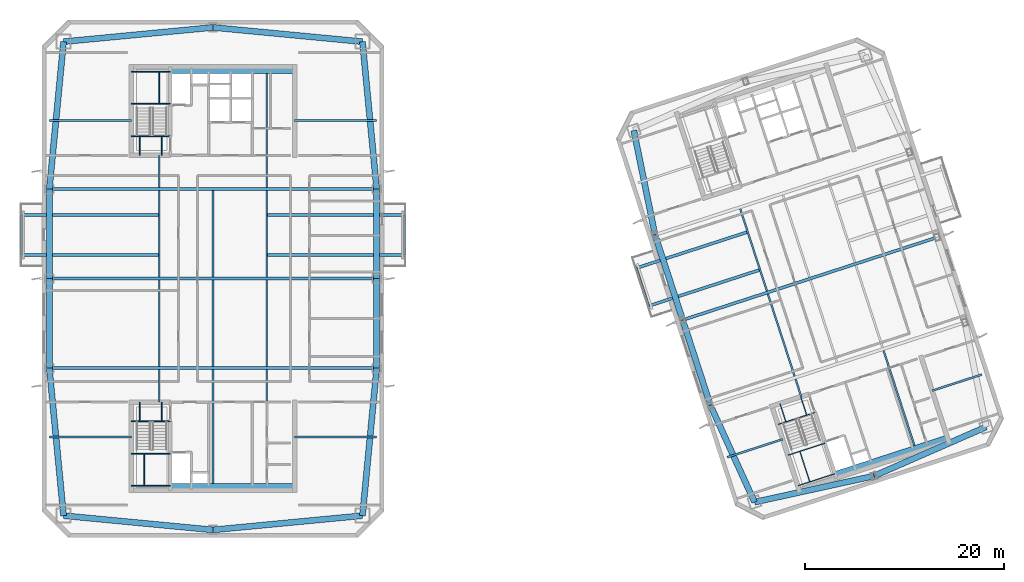
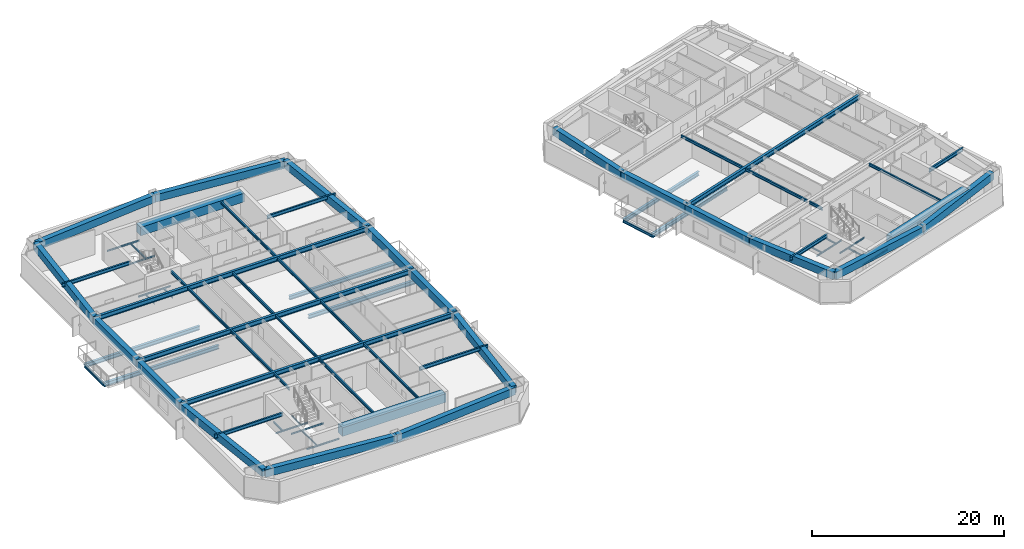
# One storey, part 3 of 17: 73 beams.
"""IFC4 building model written with IfcOpenShell, lengths in metres."""

from ifc_helpers import new_model, si_unit, direction, frame, origin, origin_2d, place, context, subcontext, project, spatial, rectangle, i_section, extrude, material, material_profile, profile_set, type_object, element, save


model = new_model("IFC4")

# Units and contexts
model_context = context("Model", 3, precision=1e-05, world=origin(), true_north=direction((0.0, 1.0)))
body_context = subcontext(model_context, "Body", "Model", "MODEL_VIEW")
ifc_project = project(units=[si_unit("LENGTHUNIT", "METRE"), si_unit("AREAUNIT", "SQUARE_METRE"), si_unit("VOLUMEUNIT", "CUBIC_METRE"), si_unit("PLANEANGLEUNIT", "RADIAN"), si_unit("MASSUNIT", "GRAM", prefix="KILO")], contexts=[model_context])

# Site, building, storey
site_placement = place(None, origin())
site = spatial("IfcSite", under=ifc_project, at=site_placement, CompositionType="ELEMENT")
building_placement = place(site_placement, origin())
building = spatial("IfcBuilding", under=site, at=building_placement, Name="Qiaolan Cultural Towers", CompositionType="ELEMENT")
storey_placement = place(building_placement, frame((0.0, 0.0, 205.85009765625)))
storey = spatial("IfcBuildingStorey", under=building, at=storey_placement, Name="L55", CompositionType="ELEMENT", Elevation=205.85009765625)

# Beams
ifc_material_1 = material(Name="Steel Q355B", Category="steel")
ifc_material_profile_1 = material_profile(ifc_material_1, i_section(OverallWidth=0.300048828125, OverallDepth=0.488037109375, WebThickness=0.010986328125, FlangeThickness=0.01806640625, at=origin_2d()), Name="HM488x300x11x18")
ifc_profile_set_1 = profile_set([ifc_material_profile_1], Name="Steel Q355B")
beam_type_1 = type_object("IfcBeamType", Name="BM-HM488x300x11x18", PredefinedType="BEAM", material=ifc_profile_set_1)
for number, where, z_axis, x_axis, name in (
    (1, (24.60009765625, 36.39990234375, -0.524169921875), (-1.0, 0.0, 0.0), (0.0, -1.0, 0.0), "L55 T1 Tree Balcony Back-Spanned Bracket Beam"),
    (2, (24.60009765625, 40.39990234375, -0.524169921875), (-1.0, 0.0, 0.0), (0.0, -1.0, 0.0), "L55 T1 Tree Balcony Back-Spanned Bracket Beam"),
    (3, (35.39990234375, 36.39990234375, -0.524169921875), (1.0, 0.0, 0.0), (0.0, 1.0, 0.0), "L55 T1 Tree Balcony Back-Spanned Bracket Beam"),
    (4, (35.39990234375, 40.39990234375, -0.524169921875), (1.0, 0.0, 0.0), (0.0, 1.0, 0.0), "L55 T1 Tree Balcony Back-Spanned Bracket Beam"),
):
    element("IfcBeam", number, at=place(storey_placement, frame(where, z_axis=z_axis, x_axis=x_axis)), inside=storey, type_object=beam_type_1, Name=name, PredefinedType="BEAM", context=body_context, shape_type="SweptSolid", body=[
        extrude(i_section(OverallWidth=0.300048828125, OverallDepth=0.488037109375, WebThickness=0.010986328125, FlangeThickness=0.01806640625, at=origin_2d()), origin(), (0.0, 0.0, 1.0), 13.85009765625),
    ])
beam_1_placement = place(storey_placement, frame((84.978515625, 34.891845703125, -0.524169921875), z_axis=(-0.951057886204, -0.309012778197, 0.0), x_axis=(0.309012778197, -0.951057886204, 0.0)))
element("IfcBeam", 5, at=beam_1_placement, inside=storey, type_object=beam_type_1, Name="L55 T2 Tree Balcony Back-Spanned Bracket Beam", PredefinedType="BEAM", context=body_context, shape_type="SweptSolid", body=[
    extrude(i_section(OverallWidth=0.300048828125, OverallDepth=0.488037109375, WebThickness=0.010986328125, FlangeThickness=0.01806640625, at=origin_2d()), origin(), (0.0, 0.0, 1.0), 11.749755859375),
])
beam_2_placement = place(storey_placement, frame((83.742431640625, 38.6962890625, -0.524169921875), z_axis=(-0.951051779584, -0.309031572091, 0.0), x_axis=(0.309031572091, -0.951051779584, 0.0)))
element("IfcBeam", 6, at=beam_2_placement, inside=storey, type_object=beam_type_1, Name="L55 T2 Tree Balcony Back-Spanned Bracket Beam", PredefinedType="BEAM", context=body_context, shape_type="SweptSolid", body=[
    extrude(i_section(OverallWidth=0.300048828125, OverallDepth=0.488037109375, WebThickness=0.010986328125, FlangeThickness=0.01806640625, at=origin_2d()), origin(), (0.0, 0.0, 1.0), 11.75),
])
ifc_material_2 = material(Name="Steel Q355B", Category="steel")
ifc_material_profile_2 = material_profile(ifc_material_2, i_section(OverallWidth=0.300048828125, OverallDepth=0.587890625, WebThickness=0.011962890625, FlangeThickness=0.02001953125, at=origin_2d()), Name="HM588x300x12x20")
ifc_profile_set_2 = profile_set([ifc_material_profile_2], Name="Steel Q355B")
beam_type_2 = type_object("IfcBeamType", Name="BM-HM588x300x12x20", PredefinedType="BEAM", material=ifc_profile_set_2)
for number, where, z_axis, x_axis, name in (
    (7, (13.550048828125, 25.0, 2.89599609375), (1.0, 0.0, 0.0), (0.0, 1.0, 0.0), "L55 T1 Primary Transverse Girder V1"),
    (8, (13.550048828125, 34.0, 2.89599609375), (1.0, 0.0, 0.0), (0.0, 1.0, 0.0), "L55 T1 Primary Transverse Girder V2"),
    (9, (13.550048828125, 43.0, 2.89599609375), (1.0, 0.0, 0.0), (0.0, 1.0, 0.0), "L55 T1 Primary Transverse Girder V3"),
):
    element("IfcBeam", number, at=place(storey_placement, frame(where, z_axis=z_axis, x_axis=x_axis)), inside=storey, type_object=beam_type_2, Name=name, PredefinedType="BEAM", context=body_context, shape_type="SweptSolid", body=[
        extrude(i_section(OverallWidth=0.300048828125, OverallDepth=0.587890625, WebThickness=0.011962890625, FlangeThickness=0.02001953125, at=origin_2d()), origin(), (0.0, 0.0, 1.0), 32.89990234375),
    ])
beam_3_placement = place(storey_placement, frame((77.208251953125, 29.84375, 2.89599609375), z_axis=(0.95105740976, 0.309014244561, 0.0), x_axis=(-0.309014244561, 0.95105740976, 0.0)))
element("IfcBeam", 10, at=beam_3_placement, inside=storey, type_object=beam_type_2, Name="L55 T2 Primary Transverse Girder V2", PredefinedType="BEAM", context=body_context, shape_type="SweptSolid", body=[
    extrude(i_section(OverallWidth=0.300048828125, OverallDepth=0.587890625, WebThickness=0.011962890625, FlangeThickness=0.02001953125, at=origin_2d()), origin(), (0.0, 0.0, 1.0), 26.900146484375),
])
ifc_material_3 = material(Name="Steel Q355B", Category="steel")
ifc_material_profile_3 = material_profile(ifc_material_3, i_section(OverallWidth=0.175048828125, OverallDepth=0.35009765625, WebThickness=0.007080078125, FlangeThickness=0.010986328125, at=origin_2d()), Name="HN350x175x7x11")
ifc_profile_set_3 = profile_set([ifc_material_profile_3], Name="Steel Q355B")
beam_type_3 = type_object("IfcBeamType", Name="BM-JST-HN350x175x7x11", PredefinedType="JOIST", material=ifc_profile_set_3)
for number, where, z_axis, x_axis, name in (
    (11, (10.75, 36.39990234375, -0.524169921875), (0.0, 1.0, 0.0), (-1.0, 0.0, 0.0), "L55 T1 Tree Balcony Outer Edge Beam"),
    (12, (49.25, 36.39990234375, -0.524169921875), (0.0, 1.0, 0.0), (-1.0, 0.0, 0.0), "L55 T1 Tree Balcony Outer Edge Beam"),
    (13, (73.8037109375, 31.260986328125, -0.524169921875), (-0.309022586479, 0.951054699292, 0.0), (-0.951054699292, -0.309022586479, 0.0), "L55 T2 Tree Balcony Outer Edge Beam"),
):
    element("IfcBeam", number, at=place(storey_placement, frame(where, z_axis=z_axis, x_axis=x_axis)), inside=storey, type_object=beam_type_3, Name=name, PredefinedType="JOIST", context=body_context, shape_type="SweptSolid", body=[
        extrude(i_section(OverallWidth=0.175048828125, OverallDepth=0.35009765625, WebThickness=0.007080078125, FlangeThickness=0.010986328125, at=origin_2d()), origin(), (0.0, 0.0, 1.0), 4.0),
    ])
beam_4_placement = place(storey_placement, frame((24.60009765625, 21.60009765625, 3.014892578125), z_axis=(0.0, 1.0, 0.0), x_axis=(-1.0, 0.0, 0.0)))
element("IfcBeam", 14, at=beam_4_placement, inside=storey, type_object=beam_type_3, Name="L55 T1 Secondary Floor Joist U1-1", PredefinedType="JOIST", context=body_context, shape_type="SweptSolid", body=[
    extrude(i_section(OverallWidth=0.175048828125, OverallDepth=0.35009765625, WebThickness=0.007080078125, FlangeThickness=0.010986328125, at=origin_2d()), origin(), (0.0, 0.0, 1.0), 3.25),
])
for number, where, z_axis, x_axis, name in (
    (15, (24.60009765625, 25.14990234375, 3.014892578125), (0.0, 1.0, 0.0), (-1.0, 0.0, 0.0), "L55 T1 Secondary Floor Joist U1-2"),
    (16, (24.60009765625, 34.14990234375, 3.014892578125), (0.0, 1.0, 0.0), (-1.0, 0.0, 0.0), "L55 T1 Secondary Floor Joist U1-3"),
):
    element("IfcBeam", number, at=place(storey_placement, frame(where, z_axis=z_axis, x_axis=x_axis)), inside=storey, type_object=beam_type_3, Name=name, PredefinedType="JOIST", context=body_context, shape_type="SweptSolid", body=[
        extrude(i_section(OverallWidth=0.175048828125, OverallDepth=0.35009765625, WebThickness=0.007080078125, FlangeThickness=0.010986328125, at=origin_2d()), origin(), (0.0, 0.0, 1.0), 8.7001953125),
    ])
beam_5_placement = place(storey_placement, frame((24.60009765625, 43.14990234375, 3.014892578125), z_axis=(0.0, 1.0, 0.0), x_axis=(-1.0, 0.0, 0.0)))
element("IfcBeam", 17, at=beam_5_placement, inside=storey, type_object=beam_type_3, Name="L55 T1 Secondary Floor Joist U1-4", PredefinedType="JOIST", context=body_context, shape_type="SweptSolid", body=[
    extrude(i_section(OverallWidth=0.175048828125, OverallDepth=0.35009765625, WebThickness=0.007080078125, FlangeThickness=0.010986328125, at=origin_2d()), origin(), (0.0, 0.0, 1.0), 3.25),
])
beam_6_placement = place(storey_placement, frame((30.0, 13.39990234375, 3.014892578125), z_axis=(0.0, 1.0, 0.0), x_axis=(-1.0, 0.0, 0.0)))
element("IfcBeam", 18, at=beam_6_placement, inside=storey, type_object=beam_type_3, Name="L55 T1 Secondary Floor Joist U2-1", PredefinedType="JOIST", context=body_context, shape_type="SweptSolid", body=[
    extrude(i_section(OverallWidth=0.175048828125, OverallDepth=0.35009765625, WebThickness=0.007080078125, FlangeThickness=0.010986328125, at=origin_2d()), origin(), (0.0, 0.0, 1.0), 11.4501953125),
])
for number, where, z_axis, x_axis, name in (
    (19, (30.0, 25.14990234375, 3.014892578125), (0.0, 1.0, 0.0), (-1.0, 0.0, 0.0), "L55 T1 Secondary Floor Joist U2-2"),
    (20, (30.0, 34.14990234375, 3.014892578125), (0.0, 1.0, 0.0), (-1.0, 0.0, 0.0), "L55 T1 Secondary Floor Joist U2-3"),
):
    element("IfcBeam", number, at=place(storey_placement, frame(where, z_axis=z_axis, x_axis=x_axis)), inside=storey, type_object=beam_type_3, Name=name, PredefinedType="JOIST", context=body_context, shape_type="SweptSolid", body=[
        extrude(i_section(OverallWidth=0.175048828125, OverallDepth=0.35009765625, WebThickness=0.007080078125, FlangeThickness=0.010986328125, at=origin_2d()), origin(), (0.0, 0.0, 1.0), 8.7001953125),
    ])
beam_7_placement = place(storey_placement, frame((35.39990234375, 13.39990234375, 3.014892578125), z_axis=(0.0, 1.0, 0.0), x_axis=(-1.0, 0.0, 0.0)))
element("IfcBeam", 21, at=beam_7_placement, inside=storey, type_object=beam_type_3, Name="L55 T1 Secondary Floor Joist U3-1", PredefinedType="JOIST", context=body_context, shape_type="SweptSolid", body=[
    extrude(i_section(OverallWidth=0.175048828125, OverallDepth=0.35009765625, WebThickness=0.007080078125, FlangeThickness=0.010986328125, at=origin_2d()), origin(), (0.0, 0.0, 1.0), 11.4501953125),
])
for number, where, z_axis, x_axis, name in (
    (22, (35.39990234375, 25.14990234375, 3.014892578125), (0.0, 1.0, 0.0), (-1.0, 0.0, 0.0), "L55 T1 Secondary Floor Joist U3-2"),
    (23, (35.39990234375, 34.14990234375, 3.014892578125), (0.0, 1.0, 0.0), (-1.0, 0.0, 0.0), "L55 T1 Secondary Floor Joist U3-3"),
):
    element("IfcBeam", number, at=place(storey_placement, frame(where, z_axis=z_axis, x_axis=x_axis)), inside=storey, type_object=beam_type_3, Name=name, PredefinedType="JOIST", context=body_context, shape_type="SweptSolid", body=[
        extrude(i_section(OverallWidth=0.175048828125, OverallDepth=0.35009765625, WebThickness=0.007080078125, FlangeThickness=0.010986328125, at=origin_2d()), origin(), (0.0, 0.0, 1.0), 8.7001953125),
    ])
beam_8_placement = place(storey_placement, frame((35.39990234375, 43.14990234375, 3.014892578125), z_axis=(0.0, 1.0, 0.0), x_axis=(-1.0, 0.0, 0.0)))
element("IfcBeam", 24, at=beam_8_placement, inside=storey, type_object=beam_type_3, Name="L55 T1 Secondary Floor Joist U3-4", PredefinedType="JOIST", context=body_context, shape_type="SweptSolid", body=[
    extrude(i_section(OverallWidth=0.175048828125, OverallDepth=0.35009765625, WebThickness=0.007080078125, FlangeThickness=0.010986328125, at=origin_2d()), origin(), (0.0, 0.0, 1.0), 11.4501953125),
])
beam_9_placement = place(storey_placement, frame((89.119384765625, 22.147705078125, 3.014892578125), z_axis=(-0.308933885266, 0.951083516067, 0.0), x_axis=(-0.951083516067, -0.308933885266, 0.0)))
element("IfcBeam", 25, at=beam_9_placement, inside=storey, type_object=beam_type_3, Name="L55 T2 Secondary Floor Joist U1-1", PredefinedType="JOIST", context=body_context, shape_type="SweptSolid", body=[
    extrude(i_section(OverallWidth=0.175048828125, OverallDepth=0.35009765625, WebThickness=0.007080078125, FlangeThickness=0.010986328125, at=origin_2d()), origin(), (0.0, 0.0, 1.0), 1.85009765625),
])
for number, where, z_axis, x_axis, name in (
    (26, (88.455078125, 24.192626953125, 3.014892578125), (-0.309020714809, 0.951055307445, 0.0), (-0.951055307445, -0.309020714809, 0.0), "L55 T2 Secondary Floor Joist U1-2"),
    (27, (85.673828125, 32.752197265625, 3.014892578125), (-0.309020714809, 0.951055307445, 0.0), (-0.951055307445, -0.309020714809, 0.0), "L55 T2 Secondary Floor Joist U1-3"),
):
    element("IfcBeam", number, at=place(storey_placement, frame(where, z_axis=z_axis, x_axis=x_axis)), inside=storey, type_object=beam_type_3, Name=name, PredefinedType="JOIST", context=body_context, shape_type="SweptSolid", body=[
        extrude(i_section(OverallWidth=0.175048828125, OverallDepth=0.35009765625, WebThickness=0.007080078125, FlangeThickness=0.010986328125, at=origin_2d()), origin(), (0.0, 0.0, 1.0), 8.699951171875),
    ])
beam_10_placement = place(storey_placement, frame((100.498291015625, 17.222900390625, 3.014892578125), z_axis=(-0.309025649293, 0.951053704098, 0.0), x_axis=(-0.951053704098, -0.309025649293, 0.0)))
element("IfcBeam", 28, at=beam_10_placement, inside=storey, type_object=beam_type_3, Name="L55 T2 Secondary Floor Joist U3-1", PredefinedType="JOIST", context=body_context, shape_type="SweptSolid", body=[
    extrude(i_section(OverallWidth=0.175048828125, OverallDepth=0.35009765625, WebThickness=0.007080078125, FlangeThickness=0.010986328125, at=origin_2d()), origin(), (0.0, 0.0, 1.0), 10.050048828125),
])
ifc_material_4 = material(Name="Steel Q355B", Category="steel")
ifc_material_profile_4 = material_profile(ifc_material_4, i_section(OverallWidth=0.199951171875, OverallDepth=0.449951171875, WebThickness=0.009033203125, FlangeThickness=0.013916015625, at=origin_2d()), Name="HN450x200x9x14")
ifc_profile_set_4 = profile_set([ifc_material_profile_4], Name="Steel Q355B")
beam_type_4 = type_object("IfcBeamType", Name="BM-LNT-HN450x200x9x14", PredefinedType="LINTEL", material=ifc_profile_set_4)
for number, where, z_axis, x_axis, name in (
    (29, (21.800048828125, 18.10009765625, 2.96484375), (-1.0, 0.0, 0.0), (0.0, -1.0, 0.0), "L55 T1 Core Flank Tie Lintel WS"),
    (30, (21.800048828125, 49.89990234375, 2.96484375), (-1.0, 0.0, 0.0), (0.0, -1.0, 0.0), "L55 T1 Core Flank Tie Lintel WN"),
    (31, (38.199951171875, 18.10009765625, 2.96484375), (1.0, 0.0, 0.0), (0.0, 1.0, 0.0), "L55 T1 Core Flank Tie Lintel ES"),
    (32, (38.199951171875, 49.89990234375, 2.96484375), (1.0, 0.0, 0.0), (0.0, 1.0, 0.0), "L55 T1 Core Flank Tie Lintel EN"),
):
    element("IfcBeam", number, at=place(storey_placement, frame(where, z_axis=z_axis, x_axis=x_axis)), inside=storey, type_object=beam_type_4, Name=name, PredefinedType="LINTEL", context=body_context, shape_type="SweptSolid", body=[
        extrude(i_section(OverallWidth=0.199951171875, OverallDepth=0.449951171875, WebThickness=0.009033203125, FlangeThickness=0.013916015625, at=origin_2d()), origin(), (0.0, 0.0, 1.0), 8.25),
    ])
beam_11_placement = place(storey_placement, frame((87.252685546875, 17.861083984375, 2.96484375), z_axis=(-0.951063813276, -0.308994535675, 0.0), x_axis=(0.308994535675, -0.951063813276, 0.0)))
element("IfcBeam", 33, at=beam_11_placement, inside=storey, type_object=beam_type_4, Name="L55 T2 Core Flank Tie Lintel WS", PredefinedType="LINTEL", context=body_context, shape_type="SweptSolid", body=[
    extrude(i_section(OverallWidth=0.199951171875, OverallDepth=0.449951171875, WebThickness=0.009033203125, FlangeThickness=0.013916015625, at=origin_2d()), origin(), (0.0, 0.0, 1.0), 5.85009765625),
])
beam_12_placement = place(storey_placement, frame((102.279296875, 22.74365234375, 2.96484375), z_axis=(0.951060037126, 0.309006158161, 0.0), x_axis=(-0.309006158161, 0.951060037126, 0.0)))
element("IfcBeam", 34, at=beam_12_placement, inside=storey, type_object=beam_type_4, Name="L55 T2 Core Flank Tie Lintel ES", PredefinedType="LINTEL", context=body_context, shape_type="SweptSolid", body=[
    extrude(i_section(OverallWidth=0.199951171875, OverallDepth=0.449951171875, WebThickness=0.009033203125, FlangeThickness=0.013916015625, at=origin_2d()), origin(), (0.0, 0.0, 1.0), 5.25),
])
ifc_material_5 = material(Name="Concrete C50", Category="concrete")
ifc_material_profile_5 = material_profile(ifc_material_5, rectangle(XDim=0.89990234375, YDim=1.10009765625, at=origin_2d()), Name="RC900x1100")
ifc_profile_set_5 = profile_set([ifc_material_profile_5], Name="Concrete C50")
beam_type_5 = type_object("IfcBeamType", Name="BM-RC900x1100", PredefinedType="BEAM", material=ifc_profile_set_5)
for number, where, z_axis, x_axis, name in (
    (35, (25.719970703125, 12.949951171875, 2.639892578125), (1.0, 0.0, 0.0), (0.0, 1.0, 0.0), "L55 T1 Core Header Girder S"),
    (36, (25.719970703125, 55.050048828125, 2.639892578125), (1.0, 0.0, 0.0), (0.0, 1.0, 0.0), "L55 T1 Core Header Girder N"),
):
    element("IfcBeam", number, at=place(storey_placement, frame(where, z_axis=z_axis, x_axis=x_axis)), inside=storey, type_object=beam_type_5, Name=name, PredefinedType="BEAM", context=body_context, shape_type="SweptSolid", body=[
        extrude(rectangle(XDim=0.89990234375, YDim=1.10009765625, at=origin_2d()), origin(), (0.0, 0.0, 1.0), 12.47998046875),
    ])
beam_13_placement = place(storey_placement, frame((92.572265625, 14.174560546875, 2.639892578125), z_axis=(0.951056266386, 0.309017763514, 0.0), x_axis=(-0.309017763514, 0.951056266386, 0.0)))
element("IfcBeam", 37, at=beam_13_placement, inside=storey, type_object=beam_type_5, Name="L55 T2 Core Header Girder S", PredefinedType="BEAM", context=body_context, shape_type="SweptSolid", body=[
    extrude(rectangle(XDim=0.89990234375, YDim=1.10009765625, at=origin_2d()), origin(), (0.0, 0.0, 1.0), 11.880126953125),
])
ifc_material_6 = material(Name="Concrete C50", Category="concrete")
ifc_material_profile_6 = material_profile(ifc_material_6, rectangle(XDim=0.60009765625, YDim=0.949951171875, at=origin_2d()), Name="RC600x950")
ifc_profile_set_6 = profile_set([ifc_material_profile_6], Name="Concrete C50")
beam_type_6 = type_object("IfcBeamType", Name="BM-SPD-RC600x950", PredefinedType="SPANDREL", material=ifc_profile_set_6)
for number, where, z_axis, x_axis, name in (
    (38, (14.97998046875, 10.179931640625, 2.71484375), (0.995498889995, -0.094773203061, 0.0), (0.094773203061, 0.995498889995, 0.0), "L55 T1 Perimeter Spandrel Beam 1"),
    (39, (30.0, 8.75, 2.71484375), (0.995498889995, 0.094773203061, 0.0), (-0.094773203061, 0.995498889995, 0.0), "L55 T1 Perimeter Spandrel Beam 2"),
):
    element("IfcBeam", number, at=place(storey_placement, frame(where, z_axis=z_axis, x_axis=x_axis)), inside=storey, type_object=beam_type_6, Name=name, PredefinedType="SPANDREL", context=body_context, shape_type="SweptSolid", body=[
        extrude(rectangle(XDim=0.60009765625, YDim=0.949951171875, at=origin_2d()), origin(), (0.0, 0.0, 1.0), 15.087890625),
    ])
beam_14_placement = place(storey_placement, frame((45.02001953125, 10.179931640625, 2.71484375), z_axis=(0.096040159186, 0.995377459974, 0.0), x_axis=(-0.995377459974, 0.096040159186, 0.0)))
element("IfcBeam", 40, at=beam_14_placement, inside=storey, type_object=beam_type_6, Name="L55 T1 Perimeter Spandrel Beam 3", PredefinedType="SPANDREL", context=body_context, shape_type="SweptSolid", body=[
    extrude(rectangle(XDim=0.60009765625, YDim=0.949951171875, at=origin_2d()), origin(), (0.0, 0.0, 1.0), 14.888916015625),
])
for number, where, z_axis, x_axis, name in (
    (41, (46.449951171875, 25.0, 2.71484375), (0.0, 1.0, 0.0), (-1.0, 0.0, 0.0), "L55 T1 Perimeter Spandrel Beam 4"),
    (42, (46.449951171875, 34.0, 2.71484375), (0.0, 1.0, 0.0), (-1.0, 0.0, 0.0), "L55 T1 Perimeter Spandrel Beam 5"),
):
    element("IfcBeam", number, at=place(storey_placement, frame(where, z_axis=z_axis, x_axis=x_axis)), inside=storey, type_object=beam_type_6, Name=name, PredefinedType="SPANDREL", context=body_context, shape_type="SweptSolid", body=[
        extrude(rectangle(XDim=0.60009765625, YDim=0.949951171875, at=origin_2d()), origin(), (0.0, 0.0, 1.0), 9.0),
    ])
beam_15_placement = place(storey_placement, frame((46.449951171875, 43.0, 2.71484375), z_axis=(-0.096040159186, 0.995377459974, 0.0), x_axis=(-0.995377459974, -0.096040159186, 0.0)))
element("IfcBeam", 43, at=beam_15_placement, inside=storey, type_object=beam_type_6, Name="L55 T1 Perimeter Spandrel Beam 6", PredefinedType="SPANDREL", context=body_context, shape_type="SweptSolid", body=[
    extrude(rectangle(XDim=0.60009765625, YDim=0.949951171875, at=origin_2d()), origin(), (0.0, 0.0, 1.0), 14.888916015625),
])
for number, where, z_axis, x_axis, name in (
    (44, (45.02001953125, 57.820068359375, 2.71484375), (-0.995498889995, 0.094773203061, 0.0), (-0.094773203061, -0.995498889995, 0.0), "L55 T1 Perimeter Spandrel Beam 7"),
    (45, (30.0, 59.25, 2.71484375), (-0.995498889995, -0.094773203061, 0.0), (0.094773203061, -0.995498889995, 0.0), "L55 T1 Perimeter Spandrel Beam 8"),
):
    element("IfcBeam", number, at=place(storey_placement, frame(where, z_axis=z_axis, x_axis=x_axis)), inside=storey, type_object=beam_type_6, Name=name, PredefinedType="SPANDREL", context=body_context, shape_type="SweptSolid", body=[
        extrude(rectangle(XDim=0.60009765625, YDim=0.949951171875, at=origin_2d()), origin(), (0.0, 0.0, 1.0), 15.087890625),
    ])
beam_16_placement = place(storey_placement, frame((14.97998046875, 57.820068359375, 2.71484375), z_axis=(-0.096040159186, -0.995377459974, 0.0), x_axis=(0.995377459974, -0.096040159186, 0.0)))
element("IfcBeam", 46, at=beam_16_placement, inside=storey, type_object=beam_type_6, Name="L55 T1 Perimeter Spandrel Beam 9", PredefinedType="SPANDREL", context=body_context, shape_type="SweptSolid", body=[
    extrude(rectangle(XDim=0.60009765625, YDim=0.949951171875, at=origin_2d()), origin(), (0.0, 0.0, 1.0), 14.888916015625),
])
for number, where, z_axis, x_axis, name in (
    (47, (13.550048828125, 43.0, 2.71484375), (0.0, -1.0, 0.0), (1.0, 0.0, 0.0), "L55 T1 Perimeter Spandrel Beam 10"),
    (48, (13.550048828125, 34.0, 2.71484375), (0.0, -1.0, 0.0), (1.0, 0.0, 0.0), "L55 T1 Perimeter Spandrel Beam 11"),
):
    element("IfcBeam", number, at=place(storey_placement, frame(where, z_axis=z_axis, x_axis=x_axis)), inside=storey, type_object=beam_type_6, Name=name, PredefinedType="SPANDREL", context=body_context, shape_type="SweptSolid", body=[
        extrude(rectangle(XDim=0.60009765625, YDim=0.949951171875, at=origin_2d()), origin(), (0.0, 0.0, 1.0), 9.0),
    ])
beam_17_placement = place(storey_placement, frame((13.550048828125, 25.0, 2.71484375), z_axis=(0.096040159186, -0.995377459974, 0.0), x_axis=(0.995377459974, 0.096040159186, 0.0)))
element("IfcBeam", 49, at=beam_17_placement, inside=storey, type_object=beam_type_6, Name="L55 T1 Perimeter Spandrel Beam 12", PredefinedType="SPANDREL", context=body_context, shape_type="SweptSolid", body=[
    extrude(rectangle(XDim=0.60009765625, YDim=0.949951171875, at=origin_2d()), origin(), (0.0, 0.0, 1.0), 14.888916015625),
])
beam_18_placement = place(storey_placement, frame((84.42822265625, 11.538818359375, 2.71484375), z_axis=(0.976843395078, 0.213955559619, 0.0), x_axis=(-0.213955559619, 0.976843395078, 0.0)))
element("IfcBeam", 50, at=beam_18_placement, inside=storey, type_object=beam_type_6, Name="L55 T2 Perimeter Spandrel Beam 1", PredefinedType="SPANDREL", context=body_context, shape_type="SweptSolid", body=[
    extrude(rectangle(XDim=0.60009765625, YDim=0.949951171875, at=origin_2d()), origin(), (0.0, 0.0, 1.0), 12.2998046875),
])
beam_19_placement = place(storey_placement, frame((96.443115234375, 14.17041015625, 2.71484375), z_axis=(0.916042038824, 0.401082264762, 0.0), x_axis=(-0.401082264762, 0.916042038824, 0.0)))
element("IfcBeam", 51, at=beam_19_placement, inside=storey, type_object=beam_type_6, Name="L55 T2 Perimeter Spandrel Beam 2", PredefinedType="SPANDREL", context=body_context, shape_type="SweptSolid", body=[
    extrude(rectangle(XDim=0.60009765625, YDim=0.949951171875, at=origin_2d()), origin(), (0.0, 0.0, 1.0), 12.299560546875),
])
beam_20_placement = place(storey_placement, frame((72.2900390625, 48.896484375, 2.71484375), z_axis=(0.199578538116, -0.979881833245, 0.0), x_axis=(0.979881833245, 0.199578538116, 0.0)))
element("IfcBeam", 52, at=beam_20_placement, inside=storey, type_object=beam_type_6, Name="L55 T2 Perimeter Spandrel Beam 9", PredefinedType="SPANDREL", context=body_context, shape_type="SweptSolid", body=[
    extrude(rectangle(XDim=0.60009765625, YDim=0.949951171875, at=origin_2d()), origin(), (0.0, 0.0, 1.0), 10.70849609375),
])
for number, where, z_axis, x_axis, name in (
    (53, (74.42724609375, 38.4033203125, 2.71484375), (0.309000197986, -0.951061973609, 0.0), (0.951061973609, 0.309000197986, 0.0), "L55 T2 Perimeter Spandrel Beam 10"),
    (54, (77.208251953125, 29.84375, 2.71484375), (0.309024734286, -0.951054001411, 0.0), (0.951054001411, 0.309024734286, 0.0), "L55 T2 Perimeter Spandrel Beam 11"),
):
    element("IfcBeam", number, at=place(storey_placement, frame(where, z_axis=z_axis, x_axis=x_axis)), inside=storey, type_object=beam_type_6, Name=name, PredefinedType="SPANDREL", context=body_context, shape_type="SweptSolid", body=[
        extrude(rectangle(XDim=0.60009765625, YDim=0.949951171875, at=origin_2d()), origin(), (0.0, 0.0, 1.0), 9.0),
    ])
beam_21_placement = place(storey_placement, frame((79.989501953125, 21.2841796875, 2.71484375), z_axis=(0.414500208282, -0.910049216985, 0.0), x_axis=(0.910049216985, 0.414500208282, 0.0)))
element("IfcBeam", 55, at=beam_21_placement, inside=storey, type_object=beam_type_6, Name="L55 T2 Perimeter Spandrel Beam 12", PredefinedType="SPANDREL", context=body_context, shape_type="SweptSolid", body=[
    extrude(rectangle(XDim=0.60009765625, YDim=0.949951171875, at=origin_2d()), origin(), (0.0, 0.0, 1.0), 10.70849609375),
])
ifc_material_7 = material(Name="Steel Q355B", Category="steel")
ifc_material_profile_7 = material_profile(ifc_material_7, i_section(OverallWidth=0.10009765625, OverallDepth=0.199951171875, WebThickness=0.005615234375, FlangeThickness=0.008056640625, at=origin_2d()), Name="HN200x100x5.5x8")
ifc_profile_set_7 = profile_set([ifc_material_profile_7], Name="Steel Q355B")
beam_type_7 = type_object("IfcBeamType", Name="BM-STTRIM-200", PredefinedType="BEAM", material=ifc_profile_set_7)
beam_22_placement = place(storey_placement, frame((21.800048828125, 19.659912109375, -0.460205078125), z_axis=(1.0, 0.0, 0.0), x_axis=(0.0, 1.0, 0.0)))
element("IfcBeam", 56, at=beam_22_placement, inside=storey, type_object=beam_type_7, Name="L55 ST-W1 Floor Landing Header Beam", PredefinedType="BEAM", context=body_context, shape_type="SweptSolid", body=[
    extrude(i_section(OverallWidth=0.10009765625, OverallDepth=0.199951171875, WebThickness=0.005615234375, FlangeThickness=0.008056640625, at=origin_2d()), origin(), (0.0, 0.0, 1.0), 3.919921875),
])
for number, where, z_axis, x_axis, name in (
    (57, (22.64990234375, 21.60009765625, -0.460205078125), (0.0, -1.0, 0.0), (1.0, 0.0, 0.0), "L55 ST-W1 Floor Landing Stringer 1"),
    (58, (24.85009765625, 21.60009765625, -0.460205078125), (0.0, -1.0, 0.0), (1.0, 0.0, 0.0), "L55 ST-W1 Floor Landing Stringer 2"),
):
    element("IfcBeam", number, at=place(storey_placement, frame(where, z_axis=z_axis, x_axis=x_axis)), inside=storey, type_object=beam_type_7, Name=name, PredefinedType="BEAM", context=body_context, shape_type="SweptSolid", body=[
        extrude(i_section(OverallWidth=0.10009765625, OverallDepth=0.199951171875, WebThickness=0.005615234375, FlangeThickness=0.008056640625, at=origin_2d()), origin(), (0.0, 0.0, 1.0), 1.940185546875),
    ])
for number, where, z_axis, x_axis, name in (
    (59, (21.800048828125, 16.411376953125, 1.4248046875), (1.0, 0.0, 0.0), (0.0, 1.0, 0.0), "L55 ST-W1 Stair Landing Support Beam 1-1"),
    (60, (21.800048828125, 13.179931640625, 1.4248046875), (1.0, 0.0, 0.0), (0.0, 1.0, 0.0), "L55 ST-W1 Stair Landing Support Beam 1-2"),
):
    element("IfcBeam", number, at=place(storey_placement, frame(where, z_axis=z_axis, x_axis=x_axis)), inside=storey, type_object=beam_type_7, Name=name, PredefinedType="BEAM", context=body_context, shape_type="SweptSolid", body=[
        extrude(i_section(OverallWidth=0.10009765625, OverallDepth=0.199951171875, WebThickness=0.005615234375, FlangeThickness=0.008056640625, at=origin_2d()), origin(), (0.0, 0.0, 1.0), 3.919921875),
    ])
beam_23_placement = place(storey_placement, frame((23.070068359375, 16.411376953125, 1.4248046875), z_axis=(0.0, -1.0, 0.0), x_axis=(1.0, 0.0, 0.0)))
element("IfcBeam", 61, at=beam_23_placement, inside=storey, type_object=beam_type_7, Name="L55 ST-W1 Stair Landing Trimmer 1", PredefinedType="BEAM", context=body_context, shape_type="SweptSolid", body=[
    extrude(i_section(OverallWidth=0.10009765625, OverallDepth=0.199951171875, WebThickness=0.005615234375, FlangeThickness=0.008056640625, at=origin_2d()), origin(), (0.0, 0.0, 1.0), 3.2314453125),
])
beam_24_placement = place(storey_placement, frame((21.800048828125, 48.340087890625, -0.460205078125), z_axis=(1.0, 0.0, 0.0), x_axis=(0.0, 1.0, 0.0)))
element("IfcBeam", 62, at=beam_24_placement, inside=storey, type_object=beam_type_7, Name="L55 ST-W2 Floor Landing Header Beam", PredefinedType="BEAM", context=body_context, shape_type="SweptSolid", body=[
    extrude(i_section(OverallWidth=0.10009765625, OverallDepth=0.199951171875, WebThickness=0.005615234375, FlangeThickness=0.008056640625, at=origin_2d()), origin(), (0.0, 0.0, 1.0), 3.919921875),
])
for number, where, z_axis, x_axis, name in (
    (63, (22.64990234375, 46.39990234375, -0.460205078125), (0.0, 1.0, 0.0), (-1.0, 0.0, 0.0), "L55 ST-W2 Floor Landing Stringer 1"),
    (64, (24.85009765625, 46.39990234375, -0.460205078125), (0.0, 1.0, 0.0), (-1.0, 0.0, 0.0), "L55 ST-W2 Floor Landing Stringer 2"),
):
    element("IfcBeam", number, at=place(storey_placement, frame(where, z_axis=z_axis, x_axis=x_axis)), inside=storey, type_object=beam_type_7, Name=name, PredefinedType="BEAM", context=body_context, shape_type="SweptSolid", body=[
        extrude(i_section(OverallWidth=0.10009765625, OverallDepth=0.199951171875, WebThickness=0.005615234375, FlangeThickness=0.008056640625, at=origin_2d()), origin(), (0.0, 0.0, 1.0), 1.940185546875),
    ])
for number, where, z_axis, x_axis, name in (
    (65, (21.800048828125, 51.588623046875, 1.4248046875), (1.0, 0.0, 0.0), (0.0, 1.0, 0.0), "L55 ST-W2 Stair Landing Support Beam 1-1"),
    (66, (21.800048828125, 54.820068359375, 1.4248046875), (1.0, 0.0, 0.0), (0.0, 1.0, 0.0), "L55 ST-W2 Stair Landing Support Beam 1-2"),
):
    element("IfcBeam", number, at=place(storey_placement, frame(where, z_axis=z_axis, x_axis=x_axis)), inside=storey, type_object=beam_type_7, Name=name, PredefinedType="BEAM", context=body_context, shape_type="SweptSolid", body=[
        extrude(i_section(OverallWidth=0.10009765625, OverallDepth=0.199951171875, WebThickness=0.005615234375, FlangeThickness=0.008056640625, at=origin_2d()), origin(), (0.0, 0.0, 1.0), 3.919921875),
    ])
beam_25_placement = place(storey_placement, frame((24.610107421875, 51.588623046875, 1.4248046875), z_axis=(0.0, 1.0, 0.0), x_axis=(-1.0, 0.0, 0.0)))
element("IfcBeam", 67, at=beam_25_placement, inside=storey, type_object=beam_type_7, Name="L55 ST-W2 Stair Landing Trimmer 1", PredefinedType="BEAM", context=body_context, shape_type="SweptSolid", body=[
    extrude(i_section(OverallWidth=0.10009765625, OverallDepth=0.199951171875, WebThickness=0.005615234375, FlangeThickness=0.008056640625, at=origin_2d()), origin(), (0.0, 0.0, 1.0), 3.2314453125),
])
beam_26_placement = place(storey_placement, frame((86.770751953125, 19.3447265625, -0.460205078125), z_axis=(0.951047798727, 0.309043823005, 0.0), x_axis=(-0.309043823005, 0.951047798727, 0.0)))
element("IfcBeam", 68, at=beam_26_placement, inside=storey, type_object=beam_type_7, Name="L55 ST-E1 Floor Landing Header Beam", PredefinedType="BEAM", context=body_context, shape_type="SweptSolid", body=[
    extrude(i_section(OverallWidth=0.10009765625, OverallDepth=0.199951171875, WebThickness=0.005615234375, FlangeThickness=0.008056640625, at=origin_2d()), origin(), (0.0, 0.0, 1.0), 3.919921875),
])
for number, where, z_axis, x_axis, name in (
    (69, (86.9794921875, 21.452392578125, -0.460205078125), (0.309083226701, -0.951034993558, 0.0), (0.951034993558, 0.309083226701, 0.0), "L55 ST-E1 Floor Landing Stringer 1"),
    (70, (89.07177734375, 22.13232421875, -0.460205078125), (0.309083226701, -0.951034993558, 0.0), (0.951034993558, 0.309083226701, 0.0), "L55 ST-E1 Floor Landing Stringer 2"),
):
    element("IfcBeam", number, at=place(storey_placement, frame(where, z_axis=z_axis, x_axis=x_axis)), inside=storey, type_object=beam_type_7, Name=name, PredefinedType="BEAM", context=body_context, shape_type="SweptSolid", body=[
        extrude(i_section(OverallWidth=0.10009765625, OverallDepth=0.199951171875, WebThickness=0.005615234375, FlangeThickness=0.008056640625, at=origin_2d()), origin(), (0.0, 0.0, 1.0), 1.93994140625),
    ])
for number, where, z_axis, x_axis, name in (
    (71, (87.774658203125, 16.255126953125, 1.4248046875), (0.951047798727, 0.309043823005, 0.0), (-0.309043823005, 0.951047798727, 0.0), "L55 ST-E1 Stair Landing Support Beam 1-1"),
    (72, (88.773193359375, 13.181884765625, 1.4248046875), (0.951047798727, 0.309043823005, 0.0), (-0.309043823005, 0.951047798727, 0.0), "L55 ST-E1 Stair Landing Support Beam 1-2"),
):
    element("IfcBeam", number, at=place(storey_placement, frame(where, z_axis=z_axis, x_axis=x_axis)), inside=storey, type_object=beam_type_7, Name=name, PredefinedType="BEAM", context=body_context, shape_type="SweptSolid", body=[
        extrude(i_section(OverallWidth=0.10009765625, OverallDepth=0.199951171875, WebThickness=0.005615234375, FlangeThickness=0.008056640625, at=origin_2d()), origin(), (0.0, 0.0, 1.0), 3.919921875),
    ])
beam_27_placement = place(storey_placement, frame((88.982421875, 16.6474609375, 1.4248046875), z_axis=(0.309033108495, -0.951051280349, 0.0), x_axis=(0.951051280349, 0.309033108495, 0.0)))
element("IfcBeam", 73, at=beam_27_placement, inside=storey, type_object=beam_type_7, Name="L55 ST-E1 Stair Landing Trimmer 1", PredefinedType="BEAM", context=body_context, shape_type="SweptSolid", body=[
    extrude(i_section(OverallWidth=0.10009765625, OverallDepth=0.199951171875, WebThickness=0.005615234375, FlangeThickness=0.008056640625, at=origin_2d()), origin(), (0.0, 0.0, 1.0), 3.231201171875),
])

save(model, "model.ifc")
